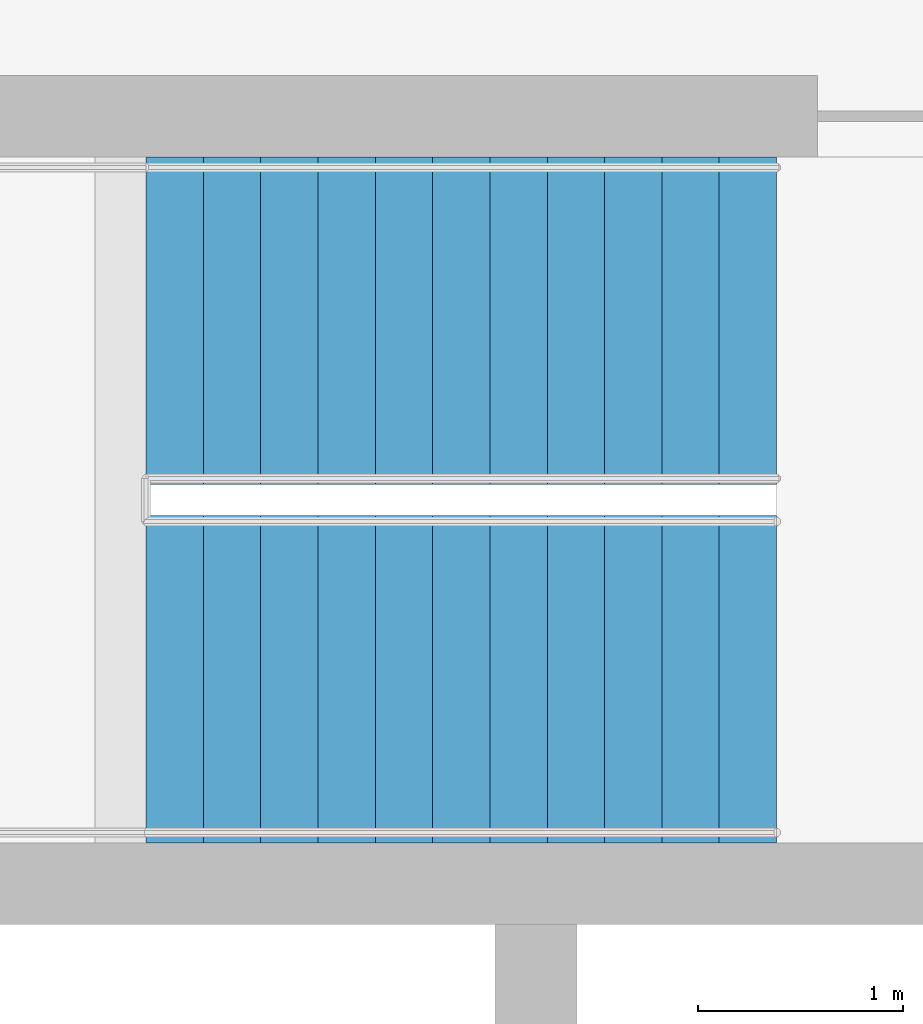
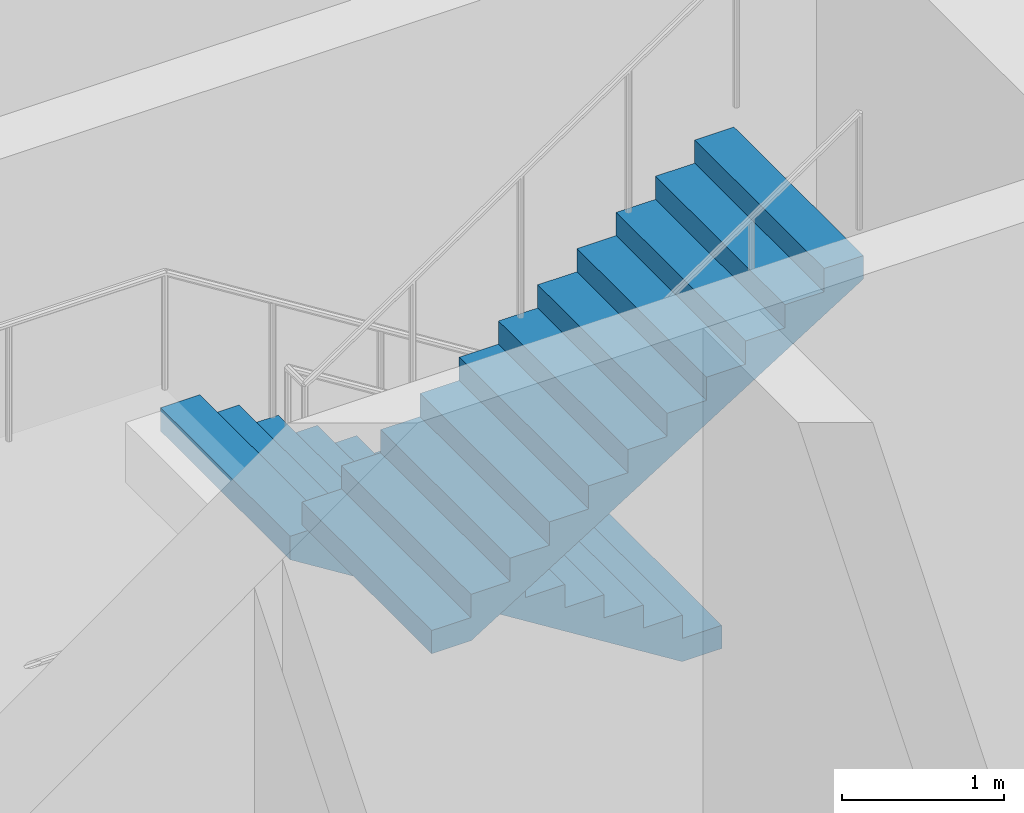
# One storey, part 20 of 25: 2 stair flights, 1 element without a shape of its own.
"""IFC4 building model written with IfcOpenShell, lengths in metres."""

from ifc_helpers import new_model, si_unit, direction, frame, origin, place, context, subcontext, project, spatial, polyline, outline, extrude, material, type_object, element, aggregate, save


model = new_model("IFC4")

# Units and contexts
model_context = context("Model", 3, precision=1e-05, world=origin(), true_north=direction((0.0, 1.0)))
body_context = subcontext(model_context, "Body", "Model", "MODEL_VIEW")
ifc_project = project(units=[si_unit("LENGTHUNIT", "METRE"), si_unit("AREAUNIT", "SQUARE_METRE"), si_unit("VOLUMEUNIT", "CUBIC_METRE"), si_unit("PLANEANGLEUNIT", "RADIAN"), si_unit("MASSUNIT", "GRAM", prefix="KILO")], contexts=[model_context])

# Site, building, storey
site_placement = place(None, origin())
site = spatial("IfcSite", under=ifc_project, at=site_placement, CompositionType="ELEMENT")
building_placement = place(site_placement, origin())
building = spatial("IfcBuilding", under=site, at=building_placement, Name="Cobogo Forest Laboratory Tower", CompositionType="ELEMENT")
storey_placement = place(building_placement, frame((0.0, 0.0, 67.5)))
storey = spatial("IfcBuildingStorey", under=building, at=storey_placement, Name="L15", CompositionType="ELEMENT", Elevation=67.5)

# Stair, stair flights
ifc_material = material(Name="Precast concrete HA-40 (C40/50)", Category="concrete")
stair_type = type_object("IfcStairType", Name="ST24 exit stair 24 risers", PredefinedType="HALF_TURN_STAIR", material=ifc_material)
stair_placement = place(storey_placement, origin())
stair = element("IfcStair", 1, at=stair_placement, inside=storey, type_object=stair_type, Name="Stair 2 L15 to L16", PredefinedType="HALF_TURN_STAIR")
stair_flight_type = type_object("IfcStairFlightType", Name="ST stair flight 280 going", PredefinedType="STRAIGHT", material=ifc_material)
stair_flight_1_placement = place(storey_placement, frame((37.47509765625, 25.699951171875, 0.0), z_axis=(0.0, 0.0, 1.0), x_axis=(-1.0, 0.0, 0.0)))
stair_flight_1 = element("IfcStairFlight", 2, at=stair_flight_1_placement, type_object=stair_flight_type, Name="ST2 flight 1", NumberOfRisers=12, NumberOfTreads=11, PredefinedType="STRAIGHT", RiserHeight=0.175, TreadLength=0.28, context=body_context, shape_type="SweptSolid", body=[
    extrude(outline(polyline([(0.0, 0.0), (0.0, 0.175048828125), (0.280029296875, 0.175048828125), (0.280029296875, 0.35009765625), (0.56005859375, 0.35009765625), (0.56005859375, 0.52490234375), (0.840087890625, 0.52490234375), (0.840087890625, 0.699951171875), (1.1201171875, 0.699951171875), (1.1201171875, 0.875), (1.39990234375, 0.875), (1.39990234375, 1.050048828125), (1.679931640625, 1.050048828125), (1.679931640625, 1.22509765625), (1.9599609375, 1.22509765625), (1.9599609375, 1.39990234375), (2.239990234375, 1.39990234375), (2.239990234375, 1.574951171875), (2.52001953125, 1.574951171875), (2.52001953125, 1.75), (2.800048828125, 1.75), (2.800048828125, 1.925048828125), (3.080078125, 1.925048828125), (3.080078125, 2.10009765625), (3.080078125, 1.748291015625), (0.28271484375, 0.0), (0.0, 0.0)])), frame((0.0, 0.800048828125, 0.0), z_axis=(0.0, -1.0, 0.0), x_axis=(1.0, 0.0, 0.0)), (0.0, 0.0, 1.0), 1.60009765625),
])
stair_flight_2_placement = place(storey_placement, frame((34.39501953125, 23.949951171875, 2.10009765625), z_axis=(0.0, 0.0, 1.0), x_axis=(1.0, 0.0, 0.0)))
stair_flight_2 = element("IfcStairFlight", 3, at=stair_flight_2_placement, type_object=stair_flight_type, Name="ST2 flight 2", NumberOfRisers=12, NumberOfTreads=11, PredefinedType="STRAIGHT", RiserHeight=0.175, TreadLength=0.28, context=body_context, shape_type="SweptSolid", body=[
    extrude(outline(polyline([(0.0, 0.0), (0.0, 0.175048828125), (0.280029296875, 0.175048828125), (0.280029296875, 0.35009765625), (0.56005859375, 0.35009765625), (0.56005859375, 0.52490234375), (0.840087890625, 0.52490234375), (0.840087890625, 0.699951171875), (1.1201171875, 0.699951171875), (1.1201171875, 0.875), (1.39990234375, 0.875), (1.39990234375, 1.050048828125), (1.679931640625, 1.050048828125), (1.679931640625, 1.22509765625), (1.9599609375, 1.22509765625), (1.9599609375, 1.39990234375), (2.239990234375, 1.39990234375), (2.239990234375, 1.574951171875), (2.52001953125, 1.574951171875), (2.52001953125, 1.75), (2.800048828125, 1.75), (2.800048828125, 1.925048828125), (3.080078125, 1.925048828125), (3.080078125, 2.10009765625), (3.080078125, 1.748291015625), (0.28271484375, 0.0), (0.0, 0.0)])), frame((0.0, 0.800048828125, 0.0), z_axis=(0.0, -1.0, 0.0), x_axis=(1.0, 0.0, 0.0)), (0.0, 0.0, 1.0), 1.60009765625),
])
aggregate(stair, [stair_flight_1, stair_flight_2])

save(model, "model.ifc")
